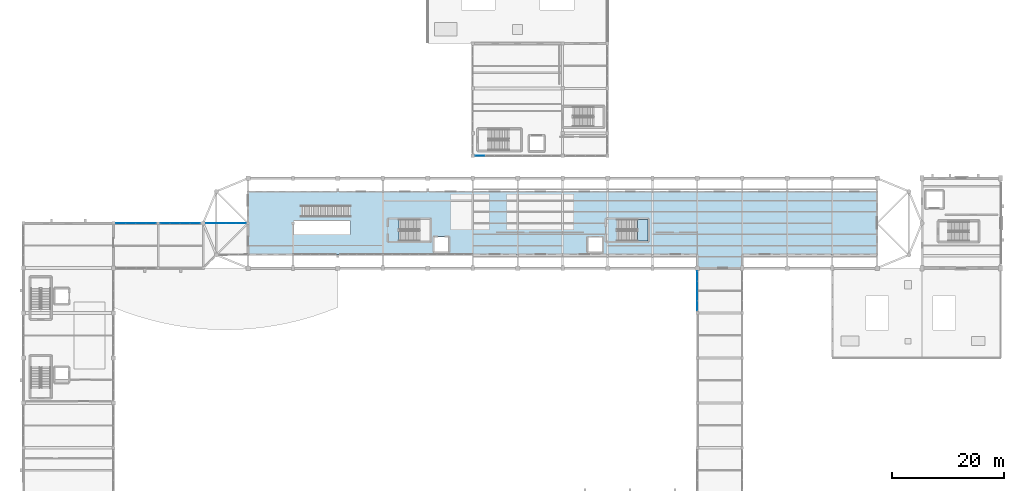
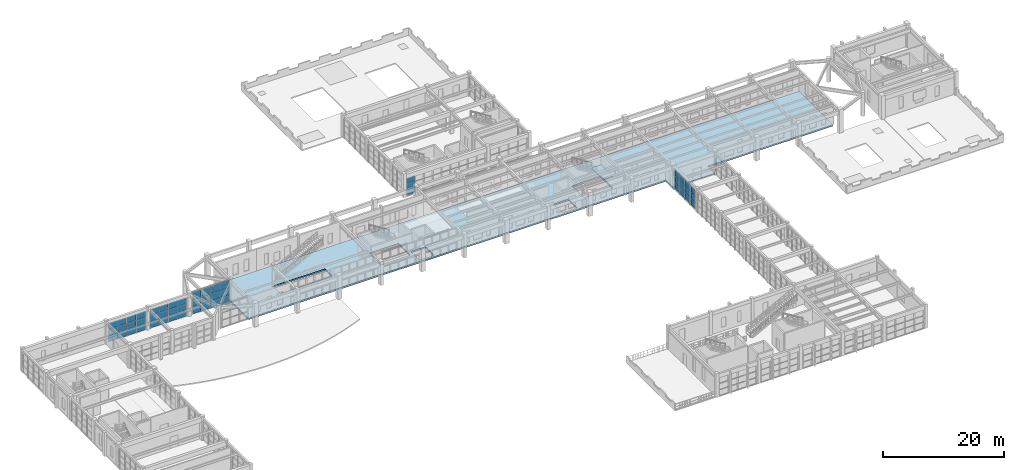
# One storey, part 33 of 59: 51 plates, 2 slabs, 6 elements without a shape of their own.
"""IFC4 building model written with IfcOpenShell, lengths in metres."""

from ifc_helpers import new_model, si_unit, direction, frame, origin, origin_2d, place, context, subcontext, project, spatial, polyline, rectangle, outline, extrude, material, layer, layer_set, type_object, element, aggregate, save


model = new_model("IFC4")

# Units and contexts
model_context = context("Model", 3, precision=1e-05, world=origin(), true_north=direction((0.0, 1.0)))
body_context = subcontext(model_context, "Body", "Model", "MODEL_VIEW")
ifc_project = project(units=[si_unit("LENGTHUNIT", "METRE"), si_unit("AREAUNIT", "SQUARE_METRE"), si_unit("VOLUMEUNIT", "CUBIC_METRE"), si_unit("PLANEANGLEUNIT", "RADIAN"), si_unit("MASSUNIT", "GRAM", prefix="KILO")], contexts=[model_context])

# Site, building, storey
site_placement = place(None, origin())
site = spatial("IfcSite", under=ifc_project, at=site_placement, CompositionType="ELEMENT")
building_placement = place(site_placement, origin())
building = spatial("IfcBuilding", under=site, at=building_placement, Name="Serraluz Foothill Cableway Terminal", CompositionType="ELEMENT")
storey_placement = place(building_placement, frame((0.0, 0.0, 4.800048828125)))
storey = spatial("IfcBuildingStorey", under=building, at=storey_placement, Name="L01", CompositionType="ELEMENT", Elevation=4.800048828125)

# Curtain wall, plates
ifc_material_1 = material(Name="Architectural bronze alloy C28000", Category="aluminium")
curtain_wall_type_1 = type_object("IfcCurtainWallType", Name="TYP-CW-710X420", PredefinedType="NOTDEFINED", material=ifc_material_1)
curtain_wall_1_placement = place(storey_placement, origin())
curtain_wall_1 = element("IfcCurtainWall", 1, at=curtain_wall_1_placement, inside=storey, type_object=curtain_wall_type_1, Name="Ribbed Glazed Curtain Wall CW-CLW-L01-48", PredefinedType="NOTDEFINED")
ifc_material_2 = material(Name="Translucent ribbed laminated channel glass", Category="glass")
ifc_layer_1 = layer(ifc_material_2, 0.028076171875, Name="Translucent ribbed laminated channel glass", Category="glass")
ifc_layer_set_1 = layer_set([ifc_layer_1], Name="Translucent ribbed laminated channel glass")
plate_type = type_object("IfcPlateType", Name="TYP-CW-PNL-28", PredefinedType="CURTAIN_PANEL", material=ifc_layer_set_1)
plate_1_placement = place(storey_placement, frame((120.0, 49.288818359375, 0.06005859375), z_axis=(0.0, 0.0, 1.0), x_axis=(0.0, 1.0, 0.0)))
plate_1 = element("IfcPlate", 2, at=plate_1_placement, type_object=plate_type, Name="CW-01 panel 1.1", PredefinedType="CURTAIN_PANEL", context=body_context, shape_type="SweptSolid", body=[
    extrude(rectangle(XDim=1.677490234375, YDim=0.028076171875, at=origin_2d()), origin(), (0.0, 0.0, 1.0), 1.224609375),
])
plate_2_placement = place(storey_placement, frame((120.0, 49.288818359375, 1.3447265625), z_axis=(0.0, 0.0, 1.0), x_axis=(0.0, 1.0, 0.0)))
plate_2 = element("IfcPlate", 3, at=plate_2_placement, type_object=plate_type, Name="CW-01 panel 1.2", PredefinedType="CURTAIN_PANEL", context=body_context, shape_type="SweptSolid", body=[
    extrude(rectangle(XDim=1.677490234375, YDim=0.028076171875, at=origin_2d()), origin(), (0.0, 0.0, 1.0), 1.254638671875),
])
plate_3_placement = place(storey_placement, frame((120.0, 49.288818359375, 2.6591796875), z_axis=(0.0, 0.0, 1.0), x_axis=(0.0, 1.0, 0.0)))
plate_3 = element("IfcPlate", 4, at=plate_3_placement, type_object=plate_type, Name="CW-01 panel 1.3", PredefinedType="CURTAIN_PANEL", context=body_context, shape_type="SweptSolid", body=[
    extrude(rectangle(XDim=1.677490234375, YDim=0.028076171875, at=origin_2d()), origin(), (0.0, 0.0, 1.0), 1.224609375),
])
plate_4_placement = place(storey_placement, frame((120.0, 51.041259765625, 0.06005859375), z_axis=(0.0, 0.0, 1.0), x_axis=(0.0, 1.0, 0.0)))
plate_4 = element("IfcPlate", 5, at=plate_4_placement, type_object=plate_type, Name="CW-01 panel 2.1", PredefinedType="CURTAIN_PANEL", context=body_context, shape_type="SweptSolid", body=[
    extrude(rectangle(XDim=1.70751953125, YDim=0.028076171875, at=origin_2d()), origin(), (0.0, 0.0, 1.0), 1.224609375),
])
plate_5_placement = place(storey_placement, frame((120.0, 51.041259765625, 1.3447265625), z_axis=(0.0, 0.0, 1.0), x_axis=(0.0, 1.0, 0.0)))
plate_5 = element("IfcPlate", 6, at=plate_5_placement, type_object=plate_type, Name="CW-01 panel 2.2", PredefinedType="CURTAIN_PANEL", context=body_context, shape_type="SweptSolid", body=[
    extrude(rectangle(XDim=1.70751953125, YDim=0.028076171875, at=origin_2d()), origin(), (0.0, 0.0, 1.0), 1.254638671875),
])
plate_6_placement = place(storey_placement, frame((120.0, 51.041259765625, 2.6591796875), z_axis=(0.0, 0.0, 1.0), x_axis=(0.0, 1.0, 0.0)))
plate_6 = element("IfcPlate", 7, at=plate_6_placement, type_object=plate_type, Name="CW-01 panel 2.3", PredefinedType="CURTAIN_PANEL", context=body_context, shape_type="SweptSolid", body=[
    extrude(rectangle(XDim=1.70751953125, YDim=0.028076171875, at=origin_2d()), origin(), (0.0, 0.0, 1.0), 1.224609375),
])
plate_7_placement = place(storey_placement, frame((120.0, 52.808837890625, 0.06005859375), z_axis=(0.0, 0.0, 1.0), x_axis=(0.0, 1.0, 0.0)))
plate_7 = element("IfcPlate", 8, at=plate_7_placement, type_object=plate_type, Name="CW-01 panel 3.1", PredefinedType="CURTAIN_PANEL", context=body_context, shape_type="SweptSolid", body=[
    extrude(rectangle(XDim=1.70751953125, YDim=0.028076171875, at=origin_2d()), origin(), (0.0, 0.0, 1.0), 1.224609375),
])
plate_8_placement = place(storey_placement, frame((120.0, 52.808837890625, 1.3447265625), z_axis=(0.0, 0.0, 1.0), x_axis=(0.0, 1.0, 0.0)))
plate_8 = element("IfcPlate", 9, at=plate_8_placement, type_object=plate_type, Name="CW-01 panel 3.2", PredefinedType="CURTAIN_PANEL", context=body_context, shape_type="SweptSolid", body=[
    extrude(rectangle(XDim=1.70751953125, YDim=0.028076171875, at=origin_2d()), origin(), (0.0, 0.0, 1.0), 1.254638671875),
])
plate_9_placement = place(storey_placement, frame((120.0, 52.808837890625, 2.6591796875), z_axis=(0.0, 0.0, 1.0), x_axis=(0.0, 1.0, 0.0)))
plate_9 = element("IfcPlate", 10, at=plate_9_placement, type_object=plate_type, Name="CW-01 panel 3.3", PredefinedType="CURTAIN_PANEL", context=body_context, shape_type="SweptSolid", body=[
    extrude(rectangle(XDim=1.70751953125, YDim=0.028076171875, at=origin_2d()), origin(), (0.0, 0.0, 1.0), 1.224609375),
])
plate_10_placement = place(storey_placement, frame((120.0, 54.561279296875, 0.06005859375), z_axis=(0.0, 0.0, 1.0), x_axis=(0.0, 1.0, 0.0)))
plate_10 = element("IfcPlate", 11, at=plate_10_placement, type_object=plate_type, Name="CW-01 panel 4.1", PredefinedType="CURTAIN_PANEL", context=body_context, shape_type="SweptSolid", body=[
    extrude(rectangle(XDim=1.677490234375, YDim=0.028076171875, at=origin_2d()), origin(), (0.0, 0.0, 1.0), 1.224609375),
])
plate_11_placement = place(storey_placement, frame((120.0, 54.561279296875, 1.3447265625), z_axis=(0.0, 0.0, 1.0), x_axis=(0.0, 1.0, 0.0)))
plate_11 = element("IfcPlate", 12, at=plate_11_placement, type_object=plate_type, Name="CW-01 panel 4.2", PredefinedType="CURTAIN_PANEL", context=body_context, shape_type="SweptSolid", body=[
    extrude(rectangle(XDim=1.677490234375, YDim=0.028076171875, at=origin_2d()), origin(), (0.0, 0.0, 1.0), 1.254638671875),
])
plate_12_placement = place(storey_placement, frame((120.0, 54.561279296875, 2.6591796875), z_axis=(0.0, 0.0, 1.0), x_axis=(0.0, 1.0, 0.0)))
plate_12 = element("IfcPlate", 13, at=plate_12_placement, type_object=plate_type, Name="CW-01 panel 4.3", PredefinedType="CURTAIN_PANEL", context=body_context, shape_type="SweptSolid", body=[
    extrude(rectangle(XDim=1.677490234375, YDim=0.028076171875, at=origin_2d()), origin(), (0.0, 0.0, 1.0), 1.224609375),
])
aggregate(curtain_wall_1, [plate_1, plate_2, plate_3, plate_4, plate_5, plate_6, plate_7, plate_8, plate_9, plate_10, plate_11, plate_12])

curtain_wall_type_2 = type_object("IfcCurtainWallType", Name="TYP-CW-680X420", PredefinedType="NOTDEFINED", material=ifc_material_1)
curtain_wall_2_placement = place(storey_placement, origin())
curtain_wall_2 = element("IfcCurtainWall", 14, at=curtain_wall_2_placement, inside=storey, type_object=curtain_wall_type_2, Name="Ribbed Glazed Curtain Wall CW-V4S-L01-80", PredefinedType="NOTDEFINED")
plate_13_placement = place(storey_placement, frame((81.294921875, 76.0, 0.06005859375), z_axis=(0.0, 0.0, 1.0), x_axis=(-1.0, 0.0, 0.0)))
plate_13 = element("IfcPlate", 15, at=plate_13_placement, type_object=plate_type, Name="CW-13 panel 9.1", PredefinedType="CURTAIN_PANEL", context=body_context, shape_type="SweptSolid", body=[
    extrude(rectangle(XDim=1.590087890625, YDim=0.028076171875, at=origin_2d()), origin(), (0.0, 0.0, 1.0), 1.110107421875),
])
plate_14_placement = place(storey_placement, frame((81.294921875, 76.0, 1.22998046875), z_axis=(0.0, 0.0, 1.0), x_axis=(-1.0, 0.0, 0.0)))
plate_14 = element("IfcPlate", 16, at=plate_14_placement, type_object=plate_type, Name="CW-13 panel 9.2", PredefinedType="CURTAIN_PANEL", context=body_context, shape_type="SweptSolid", body=[
    extrude(rectangle(XDim=1.590087890625, YDim=0.028076171875, at=origin_2d()), origin(), (0.0, 0.0, 1.0), 1.139892578125),
])
plate_15_placement = place(storey_placement, frame((81.294921875, 76.0, 2.4296875), z_axis=(0.0, 0.0, 1.0), x_axis=(-1.0, 0.0, 0.0)))
plate_15 = element("IfcPlate", 17, at=plate_15_placement, type_object=plate_type, Name="CW-13 panel 9.3", PredefinedType="CURTAIN_PANEL", context=body_context, shape_type="SweptSolid", body=[
    extrude(rectangle(XDim=1.590087890625, YDim=0.028076171875, at=origin_2d()), origin(), (0.0, 0.0, 1.0), 1.110107421875),
])
aggregate(curtain_wall_2, [plate_13, plate_14, plate_15])

curtain_wall_3_placement = place(storey_placement, origin())
curtain_wall_3 = element("IfcCurtainWall", 18, at=curtain_wall_3_placement, inside=storey, type_object=curtain_wall_type_1, Name="Ribbed Glazed Curtain Wall CW-WLN-L01-16", PredefinedType="NOTDEFINED")
plate_16_placement = place(storey_placement, frame((17.329345703125, 64.0, 0.06005859375), z_axis=(0.0, 0.0, 1.0), x_axis=(1.0, 0.0, 0.0)))
plate_16 = element("IfcPlate", 19, at=plate_16_placement, type_object=plate_type, Name="CW-01 panel 1.1", PredefinedType="CURTAIN_PANEL", context=body_context, shape_type="SweptSolid", body=[
    extrude(rectangle(XDim=1.708740234375, YDim=0.028076171875, at=origin_2d()), origin(), (0.0, 0.0, 1.0), 1.2099609375),
])
plate_17_placement = place(storey_placement, frame((17.329345703125, 64.0, 1.330078125), z_axis=(0.0, 0.0, 1.0), x_axis=(1.0, 0.0, 0.0)))
plate_17 = element("IfcPlate", 20, at=plate_17_placement, type_object=plate_type, Name="CW-01 panel 1.2", PredefinedType="CURTAIN_PANEL", context=body_context, shape_type="SweptSolid", body=[
    extrude(rectangle(XDim=1.708740234375, YDim=0.028076171875, at=origin_2d()), origin(), (0.0, 0.0, 1.0), 1.239990234375),
])
plate_18_placement = place(storey_placement, frame((17.329345703125, 64.0, 2.6298828125), z_axis=(0.0, 0.0, 1.0), x_axis=(1.0, 0.0, 0.0)))
plate_18 = element("IfcPlate", 21, at=plate_18_placement, type_object=plate_type, Name="CW-01 panel 1.3", PredefinedType="CURTAIN_PANEL", context=body_context, shape_type="SweptSolid", body=[
    extrude(rectangle(XDim=1.708740234375, YDim=0.028076171875, at=origin_2d()), origin(), (0.0, 0.0, 1.0), 1.2099609375),
])
plate_19_placement = place(storey_placement, frame((19.113037109375, 64.0, 0.06005859375), z_axis=(0.0, 0.0, 1.0), x_axis=(1.0, 0.0, 0.0)))
plate_19 = element("IfcPlate", 22, at=plate_19_placement, type_object=plate_type, Name="CW-01 panel 2.1", PredefinedType="CURTAIN_PANEL", context=body_context, shape_type="SweptSolid", body=[
    extrude(rectangle(XDim=1.73876953125, YDim=0.028076171875, at=origin_2d()), origin(), (0.0, 0.0, 1.0), 1.2099609375),
])
plate_20_placement = place(storey_placement, frame((19.113037109375, 64.0, 1.330078125), z_axis=(0.0, 0.0, 1.0), x_axis=(1.0, 0.0, 0.0)))
plate_20 = element("IfcPlate", 23, at=plate_20_placement, type_object=plate_type, Name="CW-01 panel 2.2", PredefinedType="CURTAIN_PANEL", context=body_context, shape_type="SweptSolid", body=[
    extrude(rectangle(XDim=1.73876953125, YDim=0.028076171875, at=origin_2d()), origin(), (0.0, 0.0, 1.0), 1.239990234375),
])
plate_21_placement = place(storey_placement, frame((19.113037109375, 64.0, 2.6298828125), z_axis=(0.0, 0.0, 1.0), x_axis=(1.0, 0.0, 0.0)))
plate_21 = element("IfcPlate", 24, at=plate_21_placement, type_object=plate_type, Name="CW-01 panel 2.3", PredefinedType="CURTAIN_PANEL", context=body_context, shape_type="SweptSolid", body=[
    extrude(rectangle(XDim=1.73876953125, YDim=0.028076171875, at=origin_2d()), origin(), (0.0, 0.0, 1.0), 1.2099609375),
])
plate_22_placement = place(storey_placement, frame((20.911865234375, 64.0, 0.06005859375), z_axis=(0.0, 0.0, 1.0), x_axis=(1.0, 0.0, 0.0)))
plate_22 = element("IfcPlate", 25, at=plate_22_placement, type_object=plate_type, Name="CW-01 panel 3.1", PredefinedType="CURTAIN_PANEL", context=body_context, shape_type="SweptSolid", body=[
    extrude(rectangle(XDim=1.73876953125, YDim=0.028076171875, at=origin_2d()), origin(), (0.0, 0.0, 1.0), 1.2099609375),
])
plate_23_placement = place(storey_placement, frame((20.911865234375, 64.0, 1.330078125), z_axis=(0.0, 0.0, 1.0), x_axis=(1.0, 0.0, 0.0)))
plate_23 = element("IfcPlate", 26, at=plate_23_placement, type_object=plate_type, Name="CW-01 panel 3.2", PredefinedType="CURTAIN_PANEL", context=body_context, shape_type="SweptSolid", body=[
    extrude(rectangle(XDim=1.73876953125, YDim=0.028076171875, at=origin_2d()), origin(), (0.0, 0.0, 1.0), 1.239990234375),
])
plate_24_placement = place(storey_placement, frame((20.911865234375, 64.0, 2.6298828125), z_axis=(0.0, 0.0, 1.0), x_axis=(1.0, 0.0, 0.0)))
plate_24 = element("IfcPlate", 27, at=plate_24_placement, type_object=plate_type, Name="CW-01 panel 3.3", PredefinedType="CURTAIN_PANEL", context=body_context, shape_type="SweptSolid", body=[
    extrude(rectangle(XDim=1.73876953125, YDim=0.028076171875, at=origin_2d()), origin(), (0.0, 0.0, 1.0), 1.2099609375),
])
plate_25_placement = place(storey_placement, frame((22.695556640625, 64.0, 0.06005859375), z_axis=(0.0, 0.0, 1.0), x_axis=(1.0, 0.0, 0.0)))
plate_25 = element("IfcPlate", 28, at=plate_25_placement, type_object=plate_type, Name="CW-01 panel 4.1", PredefinedType="CURTAIN_PANEL", context=body_context, shape_type="SweptSolid", body=[
    extrude(rectangle(XDim=1.708740234375, YDim=0.028076171875, at=origin_2d()), origin(), (0.0, 0.0, 1.0), 1.2099609375),
])
plate_26_placement = place(storey_placement, frame((22.695556640625, 64.0, 1.330078125), z_axis=(0.0, 0.0, 1.0), x_axis=(1.0, 0.0, 0.0)))
plate_26 = element("IfcPlate", 29, at=plate_26_placement, type_object=plate_type, Name="CW-01 panel 4.2", PredefinedType="CURTAIN_PANEL", context=body_context, shape_type="SweptSolid", body=[
    extrude(rectangle(XDim=1.708740234375, YDim=0.028076171875, at=origin_2d()), origin(), (0.0, 0.0, 1.0), 1.239990234375),
])
plate_27_placement = place(storey_placement, frame((22.695556640625, 64.0, 2.6298828125), z_axis=(0.0, 0.0, 1.0), x_axis=(1.0, 0.0, 0.0)))
plate_27 = element("IfcPlate", 30, at=plate_27_placement, type_object=plate_type, Name="CW-01 panel 4.3", PredefinedType="CURTAIN_PANEL", context=body_context, shape_type="SweptSolid", body=[
    extrude(rectangle(XDim=1.708740234375, YDim=0.028076171875, at=origin_2d()), origin(), (0.0, 0.0, 1.0), 1.2099609375),
])
aggregate(curtain_wall_3, [plate_16, plate_17, plate_18, plate_19, plate_20, plate_21, plate_22, plate_23, plate_24, plate_25, plate_26, plate_27])

curtain_wall_4_placement = place(storey_placement, origin())
curtain_wall_4 = element("IfcCurtainWall", 31, at=curtain_wall_4_placement, inside=storey, type_object=curtain_wall_type_1, Name="Ribbed Glazed Curtain Wall CW-WLN-L01-24", PredefinedType="NOTDEFINED")
plate_28_placement = place(storey_placement, frame((25.2919921875, 64.0, 0.06005859375), z_axis=(0.0, 0.0, 1.0), x_axis=(1.0, 0.0, 0.0)))
plate_28 = element("IfcPlate", 32, at=plate_28_placement, type_object=plate_type, Name="CW-01 panel 1.1", PredefinedType="CURTAIN_PANEL", context=body_context, shape_type="SweptSolid", body=[
    extrude(rectangle(XDim=1.683837890625, YDim=0.028076171875, at=origin_2d()), origin(), (0.0, 0.0, 1.0), 1.2099609375),
])
plate_29_placement = place(storey_placement, frame((25.2919921875, 64.0, 1.330078125), z_axis=(0.0, 0.0, 1.0), x_axis=(1.0, 0.0, 0.0)))
plate_29 = element("IfcPlate", 33, at=plate_29_placement, type_object=plate_type, Name="CW-01 panel 1.2", PredefinedType="CURTAIN_PANEL", context=body_context, shape_type="SweptSolid", body=[
    extrude(rectangle(XDim=1.683837890625, YDim=0.028076171875, at=origin_2d()), origin(), (0.0, 0.0, 1.0), 1.239990234375),
])
plate_30_placement = place(storey_placement, frame((25.2919921875, 64.0, 2.6298828125), z_axis=(0.0, 0.0, 1.0), x_axis=(1.0, 0.0, 0.0)))
plate_30 = element("IfcPlate", 34, at=plate_30_placement, type_object=plate_type, Name="CW-01 panel 1.3", PredefinedType="CURTAIN_PANEL", context=body_context, shape_type="SweptSolid", body=[
    extrude(rectangle(XDim=1.683837890625, YDim=0.028076171875, at=origin_2d()), origin(), (0.0, 0.0, 1.0), 1.2099609375),
])
plate_31_placement = place(storey_placement, frame((27.050537109375, 64.0, 0.06005859375), z_axis=(0.0, 0.0, 1.0), x_axis=(1.0, 0.0, 0.0)))
plate_31 = element("IfcPlate", 35, at=plate_31_placement, type_object=plate_type, Name="CW-01 panel 2.1", PredefinedType="CURTAIN_PANEL", context=body_context, shape_type="SweptSolid", body=[
    extrude(rectangle(XDim=1.7138671875, YDim=0.028076171875, at=origin_2d()), origin(), (0.0, 0.0, 1.0), 1.2099609375),
])
plate_32_placement = place(storey_placement, frame((27.050537109375, 64.0, 1.330078125), z_axis=(0.0, 0.0, 1.0), x_axis=(1.0, 0.0, 0.0)))
plate_32 = element("IfcPlate", 36, at=plate_32_placement, type_object=plate_type, Name="CW-01 panel 2.2", PredefinedType="CURTAIN_PANEL", context=body_context, shape_type="SweptSolid", body=[
    extrude(rectangle(XDim=1.7138671875, YDim=0.028076171875, at=origin_2d()), origin(), (0.0, 0.0, 1.0), 1.239990234375),
])
plate_33_placement = place(storey_placement, frame((27.050537109375, 64.0, 2.6298828125), z_axis=(0.0, 0.0, 1.0), x_axis=(1.0, 0.0, 0.0)))
plate_33 = element("IfcPlate", 37, at=plate_33_placement, type_object=plate_type, Name="CW-01 panel 2.3", PredefinedType="CURTAIN_PANEL", context=body_context, shape_type="SweptSolid", body=[
    extrude(rectangle(XDim=1.7138671875, YDim=0.028076171875, at=origin_2d()), origin(), (0.0, 0.0, 1.0), 1.2099609375),
])
plate_34_placement = place(storey_placement, frame((28.824462890625, 64.0, 0.06005859375), z_axis=(0.0, 0.0, 1.0), x_axis=(1.0, 0.0, 0.0)))
plate_34 = element("IfcPlate", 38, at=plate_34_placement, type_object=plate_type, Name="CW-01 panel 3.1", PredefinedType="CURTAIN_PANEL", context=body_context, shape_type="SweptSolid", body=[
    extrude(rectangle(XDim=1.7138671875, YDim=0.028076171875, at=origin_2d()), origin(), (0.0, 0.0, 1.0), 1.2099609375),
])
plate_35_placement = place(storey_placement, frame((28.824462890625, 64.0, 1.330078125), z_axis=(0.0, 0.0, 1.0), x_axis=(1.0, 0.0, 0.0)))
plate_35 = element("IfcPlate", 39, at=plate_35_placement, type_object=plate_type, Name="CW-01 panel 3.2", PredefinedType="CURTAIN_PANEL", context=body_context, shape_type="SweptSolid", body=[
    extrude(rectangle(XDim=1.7138671875, YDim=0.028076171875, at=origin_2d()), origin(), (0.0, 0.0, 1.0), 1.239990234375),
])
plate_36_placement = place(storey_placement, frame((28.824462890625, 64.0, 2.6298828125), z_axis=(0.0, 0.0, 1.0), x_axis=(1.0, 0.0, 0.0)))
plate_36 = element("IfcPlate", 40, at=plate_36_placement, type_object=plate_type, Name="CW-01 panel 3.3", PredefinedType="CURTAIN_PANEL", context=body_context, shape_type="SweptSolid", body=[
    extrude(rectangle(XDim=1.7138671875, YDim=0.028076171875, at=origin_2d()), origin(), (0.0, 0.0, 1.0), 1.2099609375),
])
plate_37_placement = place(storey_placement, frame((30.5830078125, 64.0, 0.06005859375), z_axis=(0.0, 0.0, 1.0), x_axis=(1.0, 0.0, 0.0)))
plate_37 = element("IfcPlate", 41, at=plate_37_placement, type_object=plate_type, Name="CW-01 panel 4.1", PredefinedType="CURTAIN_PANEL", context=body_context, shape_type="SweptSolid", body=[
    extrude(rectangle(XDim=1.683837890625, YDim=0.028076171875, at=origin_2d()), origin(), (0.0, 0.0, 1.0), 1.2099609375),
])
plate_38_placement = place(storey_placement, frame((30.5830078125, 64.0, 1.330078125), z_axis=(0.0, 0.0, 1.0), x_axis=(1.0, 0.0, 0.0)))
plate_38 = element("IfcPlate", 42, at=plate_38_placement, type_object=plate_type, Name="CW-01 panel 4.2", PredefinedType="CURTAIN_PANEL", context=body_context, shape_type="SweptSolid", body=[
    extrude(rectangle(XDim=1.683837890625, YDim=0.028076171875, at=origin_2d()), origin(), (0.0, 0.0, 1.0), 1.239990234375),
])
plate_39_placement = place(storey_placement, frame((30.5830078125, 64.0, 2.6298828125), z_axis=(0.0, 0.0, 1.0), x_axis=(1.0, 0.0, 0.0)))
plate_39 = element("IfcPlate", 43, at=plate_39_placement, type_object=plate_type, Name="CW-01 panel 4.3", PredefinedType="CURTAIN_PANEL", context=body_context, shape_type="SweptSolid", body=[
    extrude(rectangle(XDim=1.683837890625, YDim=0.028076171875, at=origin_2d()), origin(), (0.0, 0.0, 1.0), 1.2099609375),
])
aggregate(curtain_wall_4, [plate_28, plate_29, plate_30, plate_31, plate_32, plate_33, plate_34, plate_35, plate_36, plate_37, plate_38, plate_39])

curtain_wall_5_placement = place(storey_placement, origin())
curtain_wall_5 = element("IfcCurtainWall", 44, at=curtain_wall_5_placement, inside=storey, type_object=curtain_wall_type_1, Name="Ribbed Glazed Curtain Wall CW-WLN-L01-32", PredefinedType="NOTDEFINED")
plate_40_placement = place(storey_placement, frame((33.4169921875, 64.0, 0.06005859375), z_axis=(0.0, 0.0, 1.0), x_axis=(1.0, 0.0, 0.0)))
plate_40 = element("IfcPlate", 45, at=plate_40_placement, type_object=plate_type, Name="CW-01 panel 1.1", PredefinedType="CURTAIN_PANEL", context=body_context, shape_type="SweptSolid", body=[
    extrude(rectangle(XDim=1.683837890625, YDim=0.028076171875, at=origin_2d()), origin(), (0.0, 0.0, 1.0), 1.401611328125),
])
plate_41_placement = place(storey_placement, frame((33.4169921875, 64.0, 1.521728515625), z_axis=(0.0, 0.0, 1.0), x_axis=(1.0, 0.0, 0.0)))
plate_41 = element("IfcPlate", 46, at=plate_41_placement, type_object=plate_type, Name="CW-01 panel 1.2", PredefinedType="CURTAIN_PANEL", context=body_context, shape_type="SweptSolid", body=[
    extrude(rectangle(XDim=1.683837890625, YDim=0.028076171875, at=origin_2d()), origin(), (0.0, 0.0, 1.0), 1.431640625),
])
plate_42_placement = place(storey_placement, frame((33.4169921875, 64.0, 3.01318359375), z_axis=(0.0, 0.0, 1.0), x_axis=(1.0, 0.0, 0.0)))
plate_42 = element("IfcPlate", 47, at=plate_42_placement, type_object=plate_type, Name="CW-01 panel 1.3", PredefinedType="CURTAIN_PANEL", context=body_context, shape_type="SweptSolid", body=[
    extrude(rectangle(XDim=1.683837890625, YDim=0.028076171875, at=origin_2d()), origin(), (0.0, 0.0, 1.0), 1.401611328125),
])
plate_43_placement = place(storey_placement, frame((35.175537109375, 64.0, 0.06005859375), z_axis=(0.0, 0.0, 1.0), x_axis=(1.0, 0.0, 0.0)))
plate_43 = element("IfcPlate", 48, at=plate_43_placement, type_object=plate_type, Name="CW-01 panel 2.1", PredefinedType="CURTAIN_PANEL", context=body_context, shape_type="SweptSolid", body=[
    extrude(rectangle(XDim=1.7138671875, YDim=0.028076171875, at=origin_2d()), origin(), (0.0, 0.0, 1.0), 1.401611328125),
])
plate_44_placement = place(storey_placement, frame((35.175537109375, 64.0, 1.521728515625), z_axis=(0.0, 0.0, 1.0), x_axis=(1.0, 0.0, 0.0)))
plate_44 = element("IfcPlate", 49, at=plate_44_placement, type_object=plate_type, Name="CW-01 panel 2.2", PredefinedType="CURTAIN_PANEL", context=body_context, shape_type="SweptSolid", body=[
    extrude(rectangle(XDim=1.7138671875, YDim=0.028076171875, at=origin_2d()), origin(), (0.0, 0.0, 1.0), 1.431640625),
])
plate_45_placement = place(storey_placement, frame((35.175537109375, 64.0, 3.01318359375), z_axis=(0.0, 0.0, 1.0), x_axis=(1.0, 0.0, 0.0)))
plate_45 = element("IfcPlate", 50, at=plate_45_placement, type_object=plate_type, Name="CW-01 panel 2.3", PredefinedType="CURTAIN_PANEL", context=body_context, shape_type="SweptSolid", body=[
    extrude(rectangle(XDim=1.7138671875, YDim=0.028076171875, at=origin_2d()), origin(), (0.0, 0.0, 1.0), 1.401611328125),
])
plate_46_placement = place(storey_placement, frame((36.949462890625, 64.0, 0.06005859375), z_axis=(0.0, 0.0, 1.0), x_axis=(1.0, 0.0, 0.0)))
plate_46 = element("IfcPlate", 51, at=plate_46_placement, type_object=plate_type, Name="CW-01 panel 3.1", PredefinedType="CURTAIN_PANEL", context=body_context, shape_type="SweptSolid", body=[
    extrude(rectangle(XDim=1.7138671875, YDim=0.028076171875, at=origin_2d()), origin(), (0.0, 0.0, 1.0), 1.401611328125),
])
plate_47_placement = place(storey_placement, frame((36.949462890625, 64.0, 1.521728515625), z_axis=(0.0, 0.0, 1.0), x_axis=(1.0, 0.0, 0.0)))
plate_47 = element("IfcPlate", 52, at=plate_47_placement, type_object=plate_type, Name="CW-01 panel 3.2", PredefinedType="CURTAIN_PANEL", context=body_context, shape_type="SweptSolid", body=[
    extrude(rectangle(XDim=1.7138671875, YDim=0.028076171875, at=origin_2d()), origin(), (0.0, 0.0, 1.0), 1.431640625),
])
plate_48_placement = place(storey_placement, frame((36.949462890625, 64.0, 3.01318359375), z_axis=(0.0, 0.0, 1.0), x_axis=(1.0, 0.0, 0.0)))
plate_48 = element("IfcPlate", 53, at=plate_48_placement, type_object=plate_type, Name="CW-01 panel 3.3", PredefinedType="CURTAIN_PANEL", context=body_context, shape_type="SweptSolid", body=[
    extrude(rectangle(XDim=1.7138671875, YDim=0.028076171875, at=origin_2d()), origin(), (0.0, 0.0, 1.0), 1.401611328125),
])
plate_49_placement = place(storey_placement, frame((38.7080078125, 64.0, 0.06005859375), z_axis=(0.0, 0.0, 1.0), x_axis=(1.0, 0.0, 0.0)))
plate_49 = element("IfcPlate", 54, at=plate_49_placement, type_object=plate_type, Name="CW-01 panel 4.1", PredefinedType="CURTAIN_PANEL", context=body_context, shape_type="SweptSolid", body=[
    extrude(rectangle(XDim=1.683837890625, YDim=0.028076171875, at=origin_2d()), origin(), (0.0, 0.0, 1.0), 1.401611328125),
])
plate_50_placement = place(storey_placement, frame((38.7080078125, 64.0, 1.521728515625), z_axis=(0.0, 0.0, 1.0), x_axis=(1.0, 0.0, 0.0)))
plate_50 = element("IfcPlate", 55, at=plate_50_placement, type_object=plate_type, Name="CW-01 panel 4.2", PredefinedType="CURTAIN_PANEL", context=body_context, shape_type="SweptSolid", body=[
    extrude(rectangle(XDim=1.683837890625, YDim=0.028076171875, at=origin_2d()), origin(), (0.0, 0.0, 1.0), 1.431640625),
])
plate_51_placement = place(storey_placement, frame((38.7080078125, 64.0, 3.01318359375), z_axis=(0.0, 0.0, 1.0), x_axis=(1.0, 0.0, 0.0)))
plate_51 = element("IfcPlate", 56, at=plate_51_placement, type_object=plate_type, Name="CW-01 panel 4.3", PredefinedType="CURTAIN_PANEL", context=body_context, shape_type="SweptSolid", body=[
    extrude(rectangle(XDim=1.683837890625, YDim=0.028076171875, at=origin_2d()), origin(), (0.0, 0.0, 1.0), 1.401611328125),
])
aggregate(curtain_wall_5, [plate_40, plate_41, plate_42, plate_43, plate_44, plate_45, plate_46, plate_47, plate_48, plate_49, plate_50, plate_51])

# Slab
ifc_material_3 = material(Name="Concrete C35/45 (f'c 35 MPa)", Category="concrete")
ifc_layer_2 = layer(ifc_material_3, 0.300048828125, Name="Concrete C35/45 (f'c 35 MPa)", Category="concrete")
ifc_layer_set_2 = layer_set([ifc_layer_2], Name="Concrete C35/45 (f'c 35 MPa)")
slab_type_1 = type_object("IfcSlabType", Name="TYP-SLB-FLR-300", PredefinedType="FLOOR", material=ifc_layer_set_2)
slab_1_placement = place(storey_placement, frame((0.0, 0.0, -0.300048828125)))
element("IfcSlab", 57, at=slab_1_placement, inside=storey, type_object=slab_type_1, Name="Structural Slab SLB-L01-V1", PredefinedType="FLOOR", context=body_context, shape_type="SweptSolid", body=[
    extrude(outline(polyline([(40.0, 58.39990234375), (120.0, 58.39990234375), (120.0, 56.0), (128.0, 56.0), (128.0, 58.39990234375), (152.0, 58.39990234375), (152.0, 69.60009765625), (40.0, 69.60009765625), (40.0, 58.39990234375)]), holes=[polyline([(66.860107421875, 60.800048828125), (72.425048828125, 60.800048828125), (72.425048828125, 64.679931640625), (66.860107421875, 64.679931640625), (66.860107421875, 60.800048828125)]), polyline([(105.659912109375, 60.800048828125), (111.22509765625, 60.800048828125), (111.22509765625, 64.679931640625), (105.659912109375, 64.679931640625), (105.659912109375, 60.800048828125)]), polyline([(73.0, 58.800048828125), (75.800048828125, 58.800048828125), (75.800048828125, 61.60009765625), (73.0, 61.60009765625), (73.0, 58.800048828125)]), polyline([(100.39990234375, 58.800048828125), (103.199951171875, 58.800048828125), (103.199951171875, 61.60009765625), (100.39990234375, 61.60009765625), (100.39990234375, 58.800048828125)]), polyline([(48.199951171875, 62.0), (58.199951171875, 62.0), (58.199951171875, 64.39990234375), (48.199951171875, 64.39990234375), (48.199951171875, 62.0)])]), origin(), (0.0, 0.0, 1.0), 0.300048828125),
])

# Stair, slab
stair_type = type_object("IfcStairType", Name="TYP-ST-DOG-186-48", PredefinedType="HALF_TURN_STAIR", material=ifc_material_3)
stair_placement = place(storey_placement, origin())
stair = element("IfcStair", 58, at=stair_placement, inside=storey, type_object=stair_type, Name="L01 ST-04", PredefinedType="HALF_TURN_STAIR")
ifc_material_4 = material(Name="Concrete C28/35 (f'c 28 MPa)", Category="concrete")
ifc_layer_3 = layer(ifc_material_4, 0.199951171875, Name="Concrete C28/35 (f'c 28 MPa)", Category="concrete")
ifc_layer_set_3 = layer_set([ifc_layer_3], Name="Concrete C28/35 (f'c 28 MPa)")
slab_type_2 = type_object("IfcSlabType", Name="TYP-SLB-LND-200", PredefinedType="LANDING", material=ifc_layer_set_3)
slab_2_placement = place(storey_placement, frame((0.0, 0.0, 2.199951171875)))
slab_2 = element("IfcSlab", 59, at=slab_2_placement, type_object=slab_type_2, Name="ST-04 landing 1", PredefinedType="LANDING", context=body_context, shape_type="SweptSolid", body=[
    extrude(outline(polyline([(109.364990234375, 60.800048828125), (111.22509765625, 60.800048828125), (111.22509765625, 64.679931640625), (109.364990234375, 64.679931640625), (109.364990234375, 60.800048828125)])), origin(), (0.0, 0.0, 1.0), 0.199951171875),
])
aggregate(stair, [slab_2])

save(model, "model.ifc")
